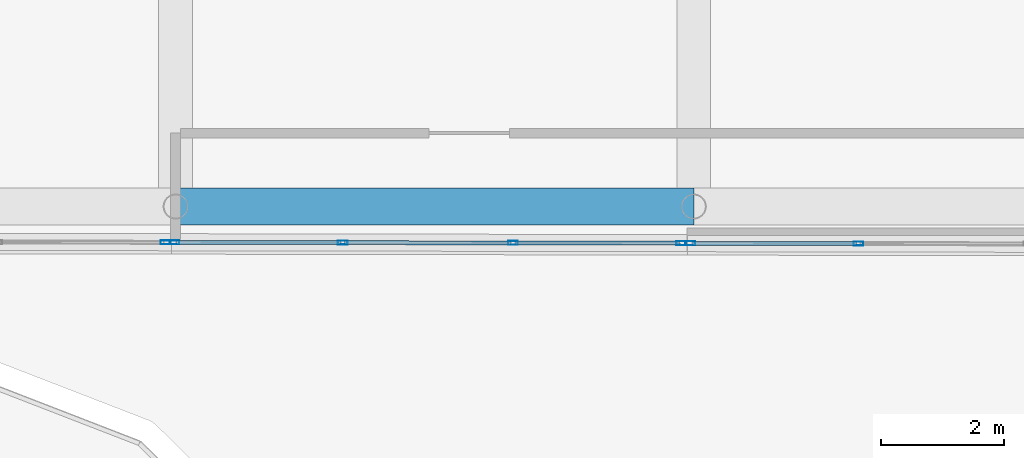
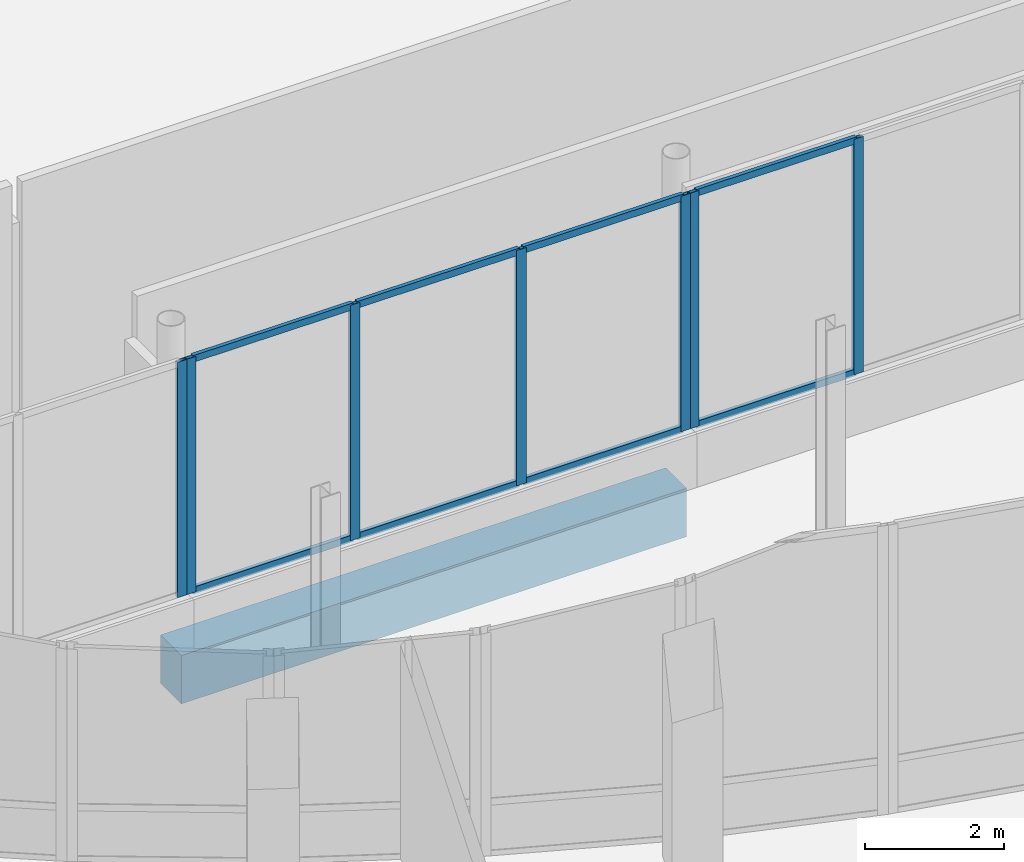
# One storey, part 36 of 158: 15 members, 1 beam, 3 elements without a shape of their own.
"""IFC4 building model written with IfcOpenShell, lengths in metres."""

from ifc_helpers import new_model, si_unit, direction, frame, origin, origin_2d, place, context, subcontext, project, spatial, rectangle, hollow_rectangle, extrude, material, material_profile, profile_set, type_object, element, aggregate, save


model = new_model("IFC4")

# Units and contexts
model_context = context("Model", 3, precision=1e-05, world=origin(), true_north=direction((0.0, 1.0)))
body_context = subcontext(model_context, "Body", "Model", "MODEL_VIEW")
ifc_project = project(units=[si_unit("LENGTHUNIT", "METRE"), si_unit("AREAUNIT", "SQUARE_METRE"), si_unit("VOLUMEUNIT", "CUBIC_METRE"), si_unit("PLANEANGLEUNIT", "RADIAN"), si_unit("MASSUNIT", "GRAM", prefix="KILO")], contexts=[model_context])

# Site, building, storey
site_placement = place(None, origin())
site = spatial("IfcSite", under=ifc_project, at=site_placement, CompositionType="ELEMENT")
building_placement = place(site_placement, origin())
building = spatial("IfcBuilding", under=site, at=building_placement, Name="Selatvlak General Hospital", CompositionType="ELEMENT")
storey_placement = place(building_placement, origin())
storey = spatial("IfcBuildingStorey", under=building, at=storey_placement, Name="L00", CompositionType="ELEMENT", Elevation=0.0)

# Beam
ifc_material_1 = material(Name="Concrete C40/50", Category="concrete")
ifc_material_profile_1 = material_profile(ifc_material_1, rectangle(XDim=0.60009765625, YDim=0.85009765625, at=origin_2d()), Name="RC-BM 600x850")
ifc_profile_set_1 = profile_set([ifc_material_profile_1], Name="Concrete C40/50")
beam_type = type_object("IfcBeamType", Name="BM-G01", PredefinedType="BEAM", material=ifc_profile_set_1)
beam_placement = place(storey_placement, frame((39.60009765625, 52.550048828125, -0.77490234375), z_axis=(1.0, 0.0, 0.0), x_axis=(0.0, 1.0, 0.0)))
element("IfcBeam", 1, at=beam_placement, inside=storey, type_object=beam_type, Name="Beam BMR-L00-0005", PredefinedType="BEAM", context=body_context, shape_type="SweptSolid", body=[
    extrude(rectangle(XDim=0.60009765625, YDim=0.85009765625, at=origin_2d()), origin(), (0.0, 0.0, 1.0), 8.39990234375),
])

# Curtain wall, members
ifc_material_2 = material(Name="Solar-control Low-E double glazing", Category="glass")
curtain_wall_type_1 = type_object("IfcCurtainWallType", Name="CW-CW-01", PredefinedType="USERDEFINED", material=ifc_material_2)
curtain_wall_1_placement = place(storey_placement, origin())
curtain_wall_1 = element("IfcCurtainWall", 2, at=curtain_wall_1_placement, inside=storey, type_object=curtain_wall_type_1, Name="Glazed facade curtain wall CW-L00-0090", ObjectType="UNITISED CURTAIN WALL", PredefinedType="USERDEFINED")
ifc_material_3 = material(Name="Dark anodised aluminium mullion", Category="aluminium")
ifc_material_profile_2 = material_profile(ifc_material_3, hollow_rectangle(XDim=0.06494140625, YDim=0.159912109375, WallThickness=0.00390625, at=origin_2d()), Name="AL-MUL 65x160x4")
ifc_profile_set_2 = profile_set([ifc_material_profile_2], Name="Dark anodised aluminium mullion")
member_type_1 = type_object("IfcMemberType", Name="CWM-01", PredefinedType="MULLION", material=ifc_profile_set_2)
member_1_placement = place(storey_placement, frame((50.67041015625, 51.949951171875, 0.93994140625), z_axis=(0.0, 0.0, 1.0), x_axis=(-0.001811372463, -0.999998359464, 0.0)))
member_1 = element("IfcMember", 3, at=member_1_placement, type_object=member_type_1, Name="CW-01 mullion 3", PredefinedType="MULLION", context=body_context, shape_type="SweptSolid", body=[
    extrude(hollow_rectangle(XDim=0.06494140625, YDim=0.159912109375, WallThickness=0.00390625, at=origin_2d()), origin(), (0.0, 0.0, 1.0), 4.14013671875),
])
member_2_placement = place(storey_placement, frame((47.9423828125, 51.954833984375, 0.93994140625), z_axis=(0.0, 0.0, 1.0), x_axis=(-0.001811372463, -0.999998359464, 0.0)))
member_2 = element("IfcMember", 4, at=member_2_placement, type_object=member_type_1, Name="CW-01 mullion 4", PredefinedType="MULLION", context=body_context, shape_type="SweptSolid", body=[
    extrude(hollow_rectangle(XDim=0.06494140625, YDim=0.159912109375, WallThickness=0.00390625, at=origin_2d()), origin(), (0.0, 0.0, 1.0), 4.14013671875),
])

curtain_wall_type_2 = type_object("IfcCurtainWallType", Name="CW-CW-02", PredefinedType="USERDEFINED", material=ifc_material_2)
curtain_wall_2_placement = place(storey_placement, origin())
curtain_wall_2 = element("IfcCurtainWall", 5, at=curtain_wall_2_placement, inside=storey, type_object=curtain_wall_type_2, Name="Glazed facade curtain wall CW-L00-0091", ObjectType="UNITISED CURTAIN WALL", PredefinedType="USERDEFINED")
member_3_placement = place(storey_placement, frame((47.797607421875, 51.955078125, 0.93994140625), z_axis=(0.0, 0.0, 1.0), x_axis=(-0.001811153756, -0.99999835986, 0.0)))
member_3 = element("IfcMember", 6, at=member_3_placement, type_object=member_type_1, Name="CW-02 mullion 1", PredefinedType="MULLION", context=body_context, shape_type="SweptSolid", body=[
    extrude(hollow_rectangle(XDim=0.06494140625, YDim=0.159912109375, WallThickness=0.00390625, at=origin_2d()), origin(), (0.0, 0.0, 1.0), 4.14013671875),
])
member_4_placement = place(storey_placement, frame((45.0693359375, 51.9599609375, 0.93994140625), z_axis=(0.0, 0.0, 1.0), x_axis=(-0.001811153756, -0.99999835986, 0.0)))
member_4 = element("IfcMember", 7, at=member_4_placement, type_object=member_type_1, Name="CW-02 mullion 2", PredefinedType="MULLION", context=body_context, shape_type="SweptSolid", body=[
    extrude(hollow_rectangle(XDim=0.06494140625, YDim=0.159912109375, WallThickness=0.00390625, at=origin_2d()), origin(), (0.0, 0.0, 1.0), 4.14013671875),
])
member_5_placement = place(storey_placement, frame((42.30859375, 51.965087890625, 0.93994140625), z_axis=(0.0, 0.0, 1.0), x_axis=(-0.001811153756, -0.99999835986, 0.0)))
member_5 = element("IfcMember", 8, at=member_5_placement, type_object=member_type_1, Name="CW-02 mullion 3", PredefinedType="MULLION", context=body_context, shape_type="SweptSolid", body=[
    extrude(hollow_rectangle(XDim=0.06494140625, YDim=0.159912109375, WallThickness=0.00390625, at=origin_2d()), origin(), (0.0, 0.0, 1.0), 4.14013671875),
])
member_6_placement = place(storey_placement, frame((39.58056640625, 51.969970703125, 0.93994140625), z_axis=(0.0, 0.0, 1.0), x_axis=(-0.001811153756, -0.99999835986, 0.0)))
member_6 = element("IfcMember", 9, at=member_6_placement, type_object=member_type_1, Name="CW-02 mullion 4", PredefinedType="MULLION", context=body_context, shape_type="SweptSolid", body=[
    extrude(hollow_rectangle(XDim=0.06494140625, YDim=0.159912109375, WallThickness=0.00390625, at=origin_2d()), origin(), (0.0, 0.0, 1.0), 4.14013671875),
])

# Curtain wall, member
curtain_wall_3_placement = place(storey_placement, origin())
curtain_wall_3 = element("IfcCurtainWall", 10, at=curtain_wall_3_placement, inside=storey, type_object=curtain_wall_type_1, Name="Glazed facade curtain wall CW-L00-0092", ObjectType="UNITISED CURTAIN WALL", PredefinedType="USERDEFINED")
member_7_placement = place(storey_placement, frame((39.435546875, 51.969970703125, 0.93994140625), z_axis=(0.0, 0.0, 1.0), x_axis=(-0.001811153756, -0.99999835986, 0.0)))
member_7 = element("IfcMember", 11, at=member_7_placement, type_object=member_type_1, Name="CW-01 mullion 1", PredefinedType="MULLION", context=body_context, shape_type="SweptSolid", body=[
    extrude(hollow_rectangle(XDim=0.06494140625, YDim=0.159912109375, WallThickness=0.00390625, at=origin_2d()), origin(), (0.0, 0.0, 1.0), 4.14013671875),
])
aggregate(curtain_wall_3, [member_7])

# Member
ifc_material_profile_3 = material_profile(ifc_material_3, hollow_rectangle(XDim=0.06494140625, YDim=0.1201171875, WallThickness=0.00390625, at=origin_2d()), Name="AL-TRN 65x120x4")
ifc_profile_set_3 = profile_set([ifc_material_profile_3], Name="Dark anodised aluminium mullion")
member_type_2 = type_object("IfcMemberType", Name="CWT-01", PredefinedType="USERDEFINED", material=ifc_profile_set_3)
member_8_placement = place(storey_placement, frame((50.637939453125, 51.949951171875, 0.972412109375), z_axis=(-0.999998318804, 0.001833681707, 0.0), x_axis=(-0.001833681707, -0.999998318804, 0.0)))
member_8 = element("IfcMember", 12, at=member_8_placement, type_object=member_type_2, Name="CW-01 transom 3.1", ObjectType="TRANSOM", PredefinedType="USERDEFINED", context=body_context, shape_type="SweptSolid", body=[
    extrude(hollow_rectangle(XDim=0.06494140625, YDim=0.1201171875, WallThickness=0.00390625, at=origin_2d()), origin(), (0.0, 0.0, 1.0), 2.662841796875),
])

member_9_placement = place(storey_placement, frame((50.637939453125, 51.949951171875, 5.047607421875), z_axis=(-0.999998318804, 0.001833681707, 0.0), x_axis=(-0.001833681707, -0.999998318804, 0.0)))
member_9 = element("IfcMember", 13, at=member_9_placement, type_object=member_type_2, Name="CW-01 transom 3.2", ObjectType="TRANSOM", PredefinedType="USERDEFINED", context=body_context, shape_type="SweptSolid", body=[
    extrude(hollow_rectangle(XDim=0.06494140625, YDim=0.1201171875, WallThickness=0.00390625, at=origin_2d()), origin(), (0.0, 0.0, 1.0), 2.662841796875),
])

aggregate(curtain_wall_1, [member_1, member_2, member_8, member_9])

member_10_placement = place(storey_placement, frame((47.764892578125, 51.955078125, 0.972412109375), z_axis=(-0.999998319113, 0.001833513603, 0.0), x_axis=(-0.001833513603, -0.999998319113, 0.0)))
member_10 = element("IfcMember", 14, at=member_10_placement, type_object=member_type_2, Name="CW-02 transom 1.1", ObjectType="TRANSOM", PredefinedType="USERDEFINED", context=body_context, shape_type="SweptSolid", body=[
    extrude(hollow_rectangle(XDim=0.06494140625, YDim=0.1201171875, WallThickness=0.00390625, at=origin_2d()), origin(), (0.0, 0.0, 1.0), 2.6630859375),
])

member_11_placement = place(storey_placement, frame((47.764892578125, 51.955078125, 5.047607421875), z_axis=(-0.999998319113, 0.001833513603, 0.0), x_axis=(-0.001833513603, -0.999998319113, 0.0)))
member_11 = element("IfcMember", 15, at=member_11_placement, type_object=member_type_2, Name="CW-02 transom 1.2", ObjectType="TRANSOM", PredefinedType="USERDEFINED", context=body_context, shape_type="SweptSolid", body=[
    extrude(hollow_rectangle(XDim=0.06494140625, YDim=0.1201171875, WallThickness=0.00390625, at=origin_2d()), origin(), (0.0, 0.0, 1.0), 2.6630859375),
])

member_12_placement = place(storey_placement, frame((45.036865234375, 51.9599609375, 0.972412109375), z_axis=(-0.999998359662, 0.001811263104, 0.0), x_axis=(-0.001811263104, -0.999998359662, 0.0)))
member_12 = element("IfcMember", 16, at=member_12_placement, type_object=member_type_2, Name="CW-02 transom 2.1", ObjectType="TRANSOM", PredefinedType="USERDEFINED", context=body_context, shape_type="SweptSolid", body=[
    extrude(hollow_rectangle(XDim=0.06494140625, YDim=0.1201171875, WallThickness=0.00390625, at=origin_2d()), origin(), (0.0, 0.0, 1.0), 2.69580078125),
])

member_13_placement = place(storey_placement, frame((45.036865234375, 51.9599609375, 5.047607421875), z_axis=(-0.999998359662, 0.001811263104, 0.0), x_axis=(-0.001811263104, -0.999998359662, 0.0)))
member_13 = element("IfcMember", 17, at=member_13_placement, type_object=member_type_2, Name="CW-02 transom 2.2", ObjectType="TRANSOM", PredefinedType="USERDEFINED", context=body_context, shape_type="SweptSolid", body=[
    extrude(hollow_rectangle(XDim=0.06494140625, YDim=0.1201171875, WallThickness=0.00390625, at=origin_2d()), origin(), (0.0, 0.0, 1.0), 2.69580078125),
])

member_14_placement = place(storey_placement, frame((42.276123046875, 51.965087890625, 0.972412109375), z_axis=(-0.999998319113, 0.001833513603, 0.0), x_axis=(-0.001833513603, -0.999998319113, 0.0)))
member_14 = element("IfcMember", 18, at=member_14_placement, type_object=member_type_2, Name="CW-02 transom 3.1", ObjectType="TRANSOM", PredefinedType="USERDEFINED", context=body_context, shape_type="SweptSolid", body=[
    extrude(hollow_rectangle(XDim=0.06494140625, YDim=0.1201171875, WallThickness=0.00390625, at=origin_2d()), origin(), (0.0, 0.0, 1.0), 2.6630859375),
])

member_15_placement = place(storey_placement, frame((42.276123046875, 51.965087890625, 5.047607421875), z_axis=(-0.999998319113, 0.001833513603, 0.0), x_axis=(-0.001833513603, -0.999998319113, 0.0)))
member_15 = element("IfcMember", 19, at=member_15_placement, type_object=member_type_2, Name="CW-02 transom 3.2", ObjectType="TRANSOM", PredefinedType="USERDEFINED", context=body_context, shape_type="SweptSolid", body=[
    extrude(hollow_rectangle(XDim=0.06494140625, YDim=0.1201171875, WallThickness=0.00390625, at=origin_2d()), origin(), (0.0, 0.0, 1.0), 2.6630859375),
])

aggregate(curtain_wall_2, [member_3, member_4, member_5, member_6, member_10, member_11, member_12, member_13, member_14, member_15])

save(model, "model.ifc")
